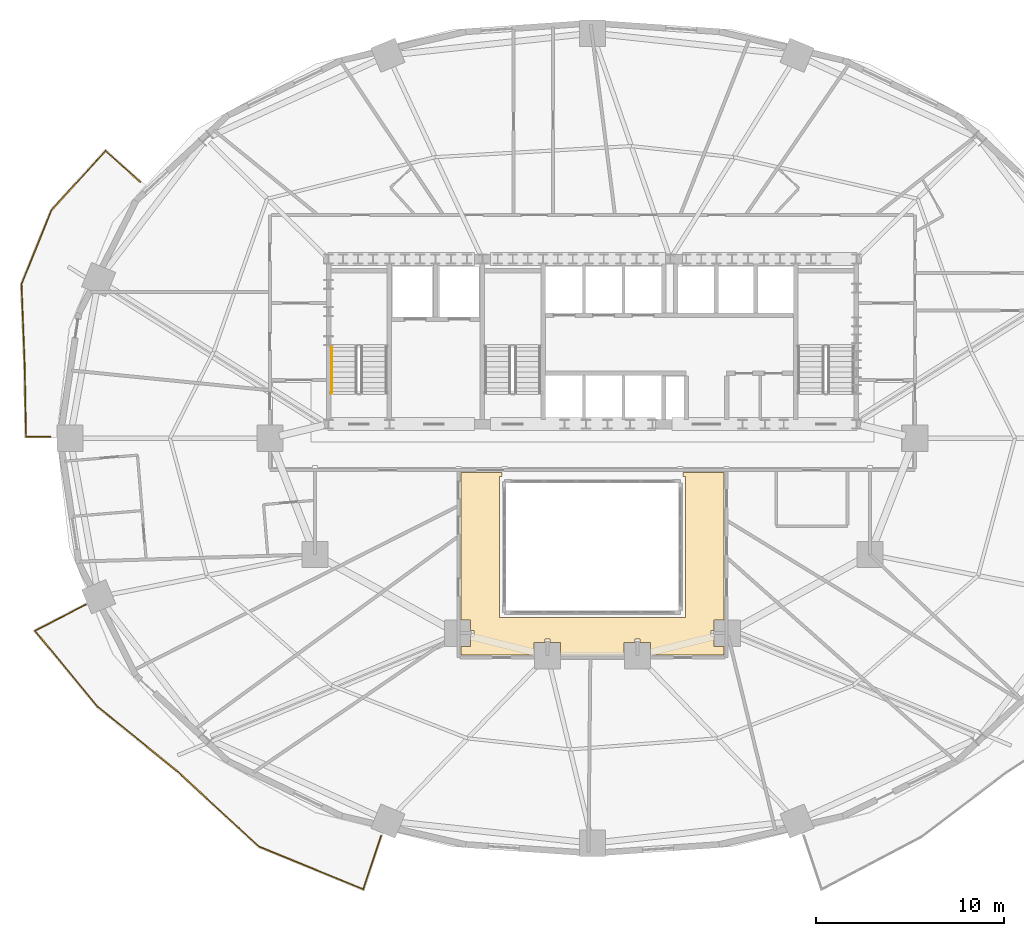
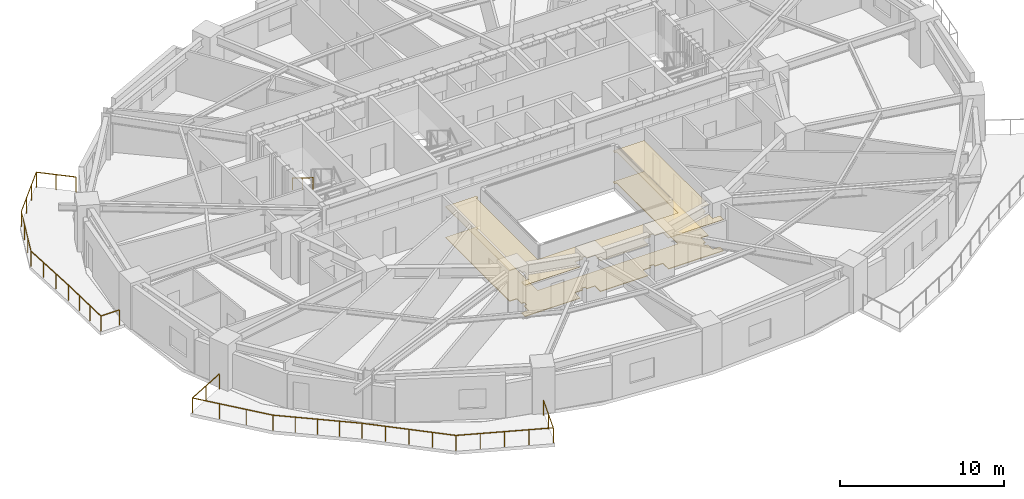
# One storey, part 13 of 15: 3 railings, 2 coverings.
"""IFC4 building model written with IfcOpenShell, lengths in metres."""

from ifc_helpers import new_model, si_unit, direction, frame, origin, origin_2d, place, context, subcontext, project, spatial, polyline, rectangle, outline, extrude, material, layer, layer_set, type_object, element, save


model = new_model("IFC4")

# Units and contexts
model_context = context("Model", 3, precision=1e-05, world=origin(), true_north=direction((0.0, 1.0)))
body_context = subcontext(model_context, "Body", "Model", "MODEL_VIEW")
ifc_project = project(units=[si_unit("LENGTHUNIT", "METRE"), si_unit("AREAUNIT", "SQUARE_METRE"), si_unit("VOLUMEUNIT", "CUBIC_METRE"), si_unit("PLANEANGLEUNIT", "RADIAN"), si_unit("MASSUNIT", "GRAM", prefix="KILO")], contexts=[model_context])

# Site, building, storey
site_placement = place(None, origin())
site = spatial("IfcSite", under=ifc_project, at=site_placement, CompositionType="ELEMENT")
building_placement = place(site_placement, origin())
building = spatial("IfcBuilding", under=site, at=building_placement, Name="Haldorwick Loom Tower", CompositionType="ELEMENT")
storey_placement = place(building_placement, frame((0.0, 0.0, 92.14990234375)))
storey = spatial("IfcBuildingStorey", under=building, at=storey_placement, Name="L24", CompositionType="ELEMENT", Elevation=92.14990234375)

# Coverings
ifc_material_1 = material(Name="Mineral Fibre Acoustic Ceiling Tile")
ifc_layer_1 = layer(ifc_material_1, 0.054931640625, Name="Mineral Fibre Acoustic Ceiling Tile")
ifc_layer_set_1 = layer_set([ifc_layer_1], Name="Mineral Fibre Acoustic Ceiling Tile")
covering_type_1 = type_object("IfcCoveringType", Name="ARC-COV-CEIL2", PredefinedType="CEILING", material=ifc_layer_set_1)
covering_1_placement = place(storey_placement, frame((0.0, 0.0, 2.302001953125)))
element("IfcCovering", 1, at=covering_1_placement, inside=storey, type_object=covering_type_1, Name="L24 Acoustic Suspended Ceiling 1", PredefinedType="CEILING", context=body_context, shape_type="SweptSolid", body=[
    extrude(outline(polyline([(40.820068359375, 24.159912109375), (40.820068359375, 23.949951171875), (40.949951171875, 23.949951171875), (40.949951171875, 16.449951171875), (31.050048828125, 16.449951171875), (31.050048828125, 23.949951171875), (31.179931640625, 23.949951171875), (31.179931640625, 24.159912109375), (28.989990234375, 24.159912109375), (28.989990234375, 16.30810546875), (29.508056640625, 16.30810546875), (29.508056640625, 15.739990234375), (29.669921875, 15.739990234375), (29.672119140625, 15.739990234375), (29.673828125, 15.739501953125), (29.67578125, 15.739013671875), (29.677734375, 15.738525390625), (29.679443359375, 15.737548828125), (29.68115234375, 15.736572265625), (29.6826171875, 15.735595703125), (29.68408203125, 15.734130859375), (29.685546875, 15.732666015625), (29.6865234375, 15.731201171875), (29.6875, 15.7294921875), (29.6884765625, 15.727783203125), (29.689208984375, 15.725830078125), (29.689697265625, 15.723876953125), (29.68994140625, 15.721923828125), (29.68994140625, 15.719970703125), (29.68994140625, 15.47998046875), (29.68994140625, 15.47802734375), (29.689697265625, 15.47607421875), (29.689208984375, 15.47412109375), (29.6884765625, 15.472412109375), (29.6875, 15.470703125), (29.6865234375, 15.468994140625), (29.685546875, 15.46728515625), (29.68408203125, 15.4658203125), (29.6826171875, 15.464599609375), (29.68115234375, 15.46337890625), (29.679443359375, 15.46240234375), (29.677734375, 15.46142578125), (29.67578125, 15.4609375), (29.673828125, 15.46044921875), (29.672119140625, 15.460205078125), (29.669921875, 15.4599609375), (29.508056640625, 15.4599609375), (29.508056640625, 14.89208984375), (28.989990234375, 14.89208984375), (28.989990234375, 14.43994140625), (32.89208984375, 14.43994140625), (32.89208984375, 15.10791015625), (33.4599609375, 15.10791015625), (33.4599609375, 15.27001953125), (33.460205078125, 15.27197265625), (33.46044921875, 15.27392578125), (33.4609375, 15.27587890625), (33.46142578125, 15.277587890625), (33.46240234375, 15.279296875), (33.46337890625, 15.281005859375), (33.464599609375, 15.28271484375), (33.4658203125, 15.2841796875), (33.46728515625, 15.285400390625), (33.468994140625, 15.28662109375), (33.470703125, 15.28759765625), (33.472412109375, 15.28857421875), (33.47412109375, 15.2890625), (33.47607421875, 15.28955078125), (33.47802734375, 15.289794921875), (33.47998046875, 15.2900390625), (33.719970703125, 15.2900390625), (33.721923828125, 15.289794921875), (33.723876953125, 15.28955078125), (33.725830078125, 15.2890625), (33.727783203125, 15.28857421875), (33.7294921875, 15.28759765625), (33.731201171875, 15.28662109375), (33.732666015625, 15.285400390625), (33.734130859375, 15.2841796875), (33.735595703125, 15.28271484375), (33.736572265625, 15.281005859375), (33.737548828125, 15.279296875), (33.738525390625, 15.277587890625), (33.739013671875, 15.27587890625), (33.739501953125, 15.27392578125), (33.739990234375, 15.27197265625), (33.739990234375, 15.27001953125), (33.739990234375, 15.10791015625), (34.30810546875, 15.10791015625), (34.30810546875, 14.43994140625), (37.69189453125, 14.43994140625), (37.69189453125, 15.10791015625), (38.260009765625, 15.10791015625), (38.260009765625, 15.27001953125), (38.260009765625, 15.27197265625), (38.260498046875, 15.27392578125), (38.260986328125, 15.27587890625), (38.261474609375, 15.277587890625), (38.262451171875, 15.279296875), (38.263427734375, 15.281005859375), (38.264404296875, 15.28271484375), (38.265869140625, 15.2841796875), (38.267333984375, 15.285400390625), (38.268798828125, 15.28662109375), (38.2705078125, 15.28759765625), (38.272216796875, 15.28857421875), (38.274169921875, 15.2890625), (38.276123046875, 15.28955078125), (38.278076171875, 15.289794921875), (38.280029296875, 15.2900390625), (38.52001953125, 15.2900390625), (38.52197265625, 15.289794921875), (38.52392578125, 15.28955078125), (38.52587890625, 15.2890625), (38.527587890625, 15.28857421875), (38.529296875, 15.28759765625), (38.531005859375, 15.28662109375), (38.53271484375, 15.285400390625), (38.5341796875, 15.2841796875), (38.535400390625, 15.28271484375), (38.53662109375, 15.281005859375), (38.53759765625, 15.279296875), (38.53857421875, 15.277587890625), (38.5390625, 15.27587890625), (38.53955078125, 15.27392578125), (38.539794921875, 15.27197265625), (38.5400390625, 15.27001953125), (38.5400390625, 15.10791015625), (39.10791015625, 15.10791015625), (39.10791015625, 14.43994140625), (43.010009765625, 14.43994140625), (43.010009765625, 14.89208984375), (42.491943359375, 14.89208984375), (42.491943359375, 15.4599609375), (42.330078125, 15.4599609375), (42.327880859375, 15.460205078125), (42.326171875, 15.46044921875), (42.32421875, 15.4609375), (42.322265625, 15.46142578125), (42.320556640625, 15.46240234375), (42.31884765625, 15.46337890625), (42.3173828125, 15.464599609375), (42.31591796875, 15.4658203125), (42.314453125, 15.46728515625), (42.3134765625, 15.468994140625), (42.3125, 15.470703125), (42.3115234375, 15.472412109375), (42.310791015625, 15.47412109375), (42.310302734375, 15.47607421875), (42.31005859375, 15.47802734375), (42.31005859375, 15.47998046875), (42.31005859375, 15.719970703125), (42.31005859375, 15.721923828125), (42.310302734375, 15.723876953125), (42.310791015625, 15.725830078125), (42.3115234375, 15.727783203125), (42.3125, 15.7294921875), (42.3134765625, 15.731201171875), (42.314453125, 15.732666015625), (42.31591796875, 15.734130859375), (42.3173828125, 15.735595703125), (42.31884765625, 15.736572265625), (42.320556640625, 15.737548828125), (42.322265625, 15.738525390625), (42.32421875, 15.739013671875), (42.326171875, 15.739501953125), (42.327880859375, 15.739990234375), (42.330078125, 15.739990234375), (42.491943359375, 15.739990234375), (42.491943359375, 16.30810546875), (43.010009765625, 16.30810546875), (43.010009765625, 24.159912109375), (40.820068359375, 24.159912109375)])), origin(), (0.0, 0.0, 1.0), 0.05517578125),
])
ifc_material_2 = material(Name="Polished Aggregate Terrazzo Finish")
ifc_layer_2 = layer(ifc_material_2, 0.044921875, Name="Polished Aggregate Terrazzo Finish")
ifc_layer_set_2 = layer_set([ifc_layer_2], Name="Polished Aggregate Terrazzo Finish")
covering_type_2 = type_object("IfcCoveringType", Name="ARC-COV-FLOOR2", PredefinedType="FLOORING", material=ifc_layer_set_2)
covering_2_placement = place(storey_placement, origin())
element("IfcCovering", 2, at=covering_2_placement, inside=storey, type_object=covering_type_2, Name="L24 Floor Finish 1", PredefinedType="FLOORING", context=body_context, shape_type="SweptSolid", body=[
    extrude(outline(polyline([(40.820068359375, 24.159912109375), (40.820068359375, 23.949951171875), (40.949951171875, 23.949951171875), (40.949951171875, 16.449951171875), (31.050048828125, 16.449951171875), (31.050048828125, 23.949951171875), (31.179931640625, 23.949951171875), (31.179931640625, 24.159912109375), (28.989990234375, 24.159912109375), (28.989990234375, 16.30810546875), (29.508056640625, 16.30810546875), (29.508056640625, 15.739990234375), (29.669921875, 15.739990234375), (29.672119140625, 15.739990234375), (29.673828125, 15.739501953125), (29.67578125, 15.739013671875), (29.677734375, 15.738525390625), (29.679443359375, 15.737548828125), (29.68115234375, 15.736572265625), (29.6826171875, 15.735595703125), (29.68408203125, 15.734130859375), (29.685546875, 15.732666015625), (29.6865234375, 15.731201171875), (29.6875, 15.7294921875), (29.6884765625, 15.727783203125), (29.689208984375, 15.725830078125), (29.689697265625, 15.723876953125), (29.68994140625, 15.721923828125), (29.68994140625, 15.719970703125), (29.68994140625, 15.47998046875), (29.68994140625, 15.47802734375), (29.689697265625, 15.47607421875), (29.689208984375, 15.47412109375), (29.6884765625, 15.472412109375), (29.6875, 15.470703125), (29.6865234375, 15.468994140625), (29.685546875, 15.46728515625), (29.68408203125, 15.4658203125), (29.6826171875, 15.464599609375), (29.68115234375, 15.46337890625), (29.679443359375, 15.46240234375), (29.677734375, 15.46142578125), (29.67578125, 15.4609375), (29.673828125, 15.46044921875), (29.672119140625, 15.460205078125), (29.669921875, 15.4599609375), (29.508056640625, 15.4599609375), (29.508056640625, 14.89208984375), (28.989990234375, 14.89208984375), (28.989990234375, 14.43994140625), (32.89208984375, 14.43994140625), (32.89208984375, 15.10791015625), (33.4599609375, 15.10791015625), (33.4599609375, 15.27001953125), (33.460205078125, 15.27197265625), (33.46044921875, 15.27392578125), (33.4609375, 15.27587890625), (33.46142578125, 15.277587890625), (33.46240234375, 15.279296875), (33.46337890625, 15.281005859375), (33.464599609375, 15.28271484375), (33.4658203125, 15.2841796875), (33.46728515625, 15.285400390625), (33.468994140625, 15.28662109375), (33.470703125, 15.28759765625), (33.472412109375, 15.28857421875), (33.47412109375, 15.2890625), (33.47607421875, 15.28955078125), (33.47802734375, 15.289794921875), (33.47998046875, 15.2900390625), (33.719970703125, 15.2900390625), (33.721923828125, 15.289794921875), (33.723876953125, 15.28955078125), (33.725830078125, 15.2890625), (33.727783203125, 15.28857421875), (33.7294921875, 15.28759765625), (33.731201171875, 15.28662109375), (33.732666015625, 15.285400390625), (33.734130859375, 15.2841796875), (33.735595703125, 15.28271484375), (33.736572265625, 15.281005859375), (33.737548828125, 15.279296875), (33.738525390625, 15.277587890625), (33.739013671875, 15.27587890625), (33.739501953125, 15.27392578125), (33.739990234375, 15.27197265625), (33.739990234375, 15.27001953125), (33.739990234375, 15.10791015625), (34.30810546875, 15.10791015625), (34.30810546875, 14.43994140625), (37.69189453125, 14.43994140625), (37.69189453125, 15.10791015625), (38.260009765625, 15.10791015625), (38.260009765625, 15.27001953125), (38.260009765625, 15.27197265625), (38.260498046875, 15.27392578125), (38.260986328125, 15.27587890625), (38.261474609375, 15.277587890625), (38.262451171875, 15.279296875), (38.263427734375, 15.281005859375), (38.264404296875, 15.28271484375), (38.265869140625, 15.2841796875), (38.267333984375, 15.285400390625), (38.268798828125, 15.28662109375), (38.2705078125, 15.28759765625), (38.272216796875, 15.28857421875), (38.274169921875, 15.2890625), (38.276123046875, 15.28955078125), (38.278076171875, 15.289794921875), (38.280029296875, 15.2900390625), (38.52001953125, 15.2900390625), (38.52197265625, 15.289794921875), (38.52392578125, 15.28955078125), (38.52587890625, 15.2890625), (38.527587890625, 15.28857421875), (38.529296875, 15.28759765625), (38.531005859375, 15.28662109375), (38.53271484375, 15.285400390625), (38.5341796875, 15.2841796875), (38.535400390625, 15.28271484375), (38.53662109375, 15.281005859375), (38.53759765625, 15.279296875), (38.53857421875, 15.277587890625), (38.5390625, 15.27587890625), (38.53955078125, 15.27392578125), (38.539794921875, 15.27197265625), (38.5400390625, 15.27001953125), (38.5400390625, 15.10791015625), (39.10791015625, 15.10791015625), (39.10791015625, 14.43994140625), (43.010009765625, 14.43994140625), (43.010009765625, 14.89208984375), (42.491943359375, 14.89208984375), (42.491943359375, 15.4599609375), (42.330078125, 15.4599609375), (42.327880859375, 15.460205078125), (42.326171875, 15.46044921875), (42.32421875, 15.4609375), (42.322265625, 15.46142578125), (42.320556640625, 15.46240234375), (42.31884765625, 15.46337890625), (42.3173828125, 15.464599609375), (42.31591796875, 15.4658203125), (42.314453125, 15.46728515625), (42.3134765625, 15.468994140625), (42.3125, 15.470703125), (42.3115234375, 15.472412109375), (42.310791015625, 15.47412109375), (42.310302734375, 15.47607421875), (42.31005859375, 15.47802734375), (42.31005859375, 15.47998046875), (42.31005859375, 15.719970703125), (42.31005859375, 15.721923828125), (42.310302734375, 15.723876953125), (42.310791015625, 15.725830078125), (42.3115234375, 15.727783203125), (42.3125, 15.7294921875), (42.3134765625, 15.731201171875), (42.314453125, 15.732666015625), (42.31591796875, 15.734130859375), (42.3173828125, 15.735595703125), (42.31884765625, 15.736572265625), (42.320556640625, 15.737548828125), (42.322265625, 15.738525390625), (42.32421875, 15.739013671875), (42.326171875, 15.739501953125), (42.327880859375, 15.739990234375), (42.330078125, 15.739990234375), (42.491943359375, 15.739990234375), (42.491943359375, 16.30810546875), (43.010009765625, 16.30810546875), (43.010009765625, 24.159912109375), (40.820068359375, 24.159912109375)])), origin(), (0.0, 0.0, 1.0), 0.045166015625),
])

# Railings
ifc_material_3 = material(Name="Galvanized Steel CSA G40.21 350W", Category="steel")
railing_type_1 = type_object("IfcRailingType", Name="ARC-RLG-BAL115", PredefinedType="BALUSTRADE", material=ifc_material_3)
railing_1_placement = place(storey_placement, frame((24.729248046875, 4.8056640625, 0.0)))
element("IfcRailing", 3, at=railing_1_placement, inside=storey, type_object=railing_type_1, Name="L24 Outdoor Terrace Guardrail SLB-L24-BAL_SW-1", PredefinedType="BALUSTRADE", context=body_context, shape_type="SweptSolid", body=[
    extrude(rectangle(XDim=0.048095703125, YDim=0.048095703125, at=origin_2d()), frame((0.0, 0.0, 1.1259765625), z_axis=(-0.316422381022, -0.948618404201, 0.0), x_axis=(0.948618404201, -0.316422381022, 0.0)), (0.0, 0.0, 1.0), 3.0107421875),
    extrude(rectangle(XDim=0.048095703125, YDim=0.048095703125, at=origin_2d()), frame((-0.95263671875, -2.85595703125, 1.1259765625), z_axis=(-0.925561844607, 0.378596449807, 0.0), x_axis=(-0.378596449807, -0.925561844607, 0.0)), (0.0, 0.0, 1.0), 6.007568359375),
    extrude(rectangle(XDim=0.048095703125, YDim=0.048095703125, at=origin_2d()), frame((-6.512939453125, -0.58154296875, 1.1259765625), z_axis=(-0.734510984815, 0.678596797212, 0.0), x_axis=(-0.678596797212, -0.734510984815, 0.0)), (0.0, 0.0, 1.0), 5.89013671875),
    extrude(rectangle(XDim=0.048095703125, YDim=0.048095703125, at=origin_2d()), frame((-10.83935546875, 3.41552734375, 1.1259765625), z_axis=(-0.752576694707, 0.658504607869, 0.0), x_axis=(-0.658504607869, -0.752576694707, 0.0)), (0.0, 0.0, 1.0), 0.005126953125),
    extrude(rectangle(XDim=0.048095703125, YDim=0.048095703125, at=origin_2d()), frame((-10.84326171875, 3.4189453125, 1.1259765625), z_axis=(-0.777254203953, 0.62918669919, 0.0), x_axis=(-0.62918669919, -0.777254203953, 0.0)), (0.0, 0.0, 1.0), 5.482421875),
    extrude(rectangle(XDim=0.048095703125, YDim=0.048095703125, at=origin_2d()), frame((-15.1044921875, 6.868408203125, 1.1259765625), z_axis=(-0.636953460821, 0.770902256287, 0.0), x_axis=(-0.770902256287, -0.636953460821, 0.0)), (0.0, 0.0, 1.0), 5.256591796875),
    extrude(rectangle(XDim=0.048095703125, YDim=0.048095703125, at=origin_2d()), frame((-18.45263671875, 10.920654296875, 1.1259765625), z_axis=(0.888445041352, 0.458983015478, 0.0), x_axis=(-0.458983015478, 0.888445041352, 0.0)), (0.0, 0.0, 1.0), 3.03515625),
    extrude(rectangle(XDim=0.0419921875, YDim=0.0419921875, at=origin_2d()), origin(), (0.0, 0.0, 1.0), 1.101806640625),
    extrude(rectangle(XDim=0.0419921875, YDim=0.0419921875, at=origin_2d()), frame((-0.476318359375, -1.427978515625, 0.0)), (0.0, 0.0, 1.0), 1.101806640625),
    extrude(rectangle(XDim=0.0419921875, YDim=0.0419921875, at=origin_2d()), frame((-0.95263671875, -2.85595703125, 0.0)), (0.0, 0.0, 1.0), 1.101806640625),
    extrude(rectangle(XDim=0.0419921875, YDim=0.0419921875, at=origin_2d()), frame((-2.3427734375, -2.287353515625, 0.0)), (0.0, 0.0, 1.0), 1.101806640625),
    extrude(rectangle(XDim=0.0419921875, YDim=0.0419921875, at=origin_2d()), frame((-3.73291015625, -1.71875, 0.0)), (0.0, 0.0, 1.0), 1.101806640625),
    extrude(rectangle(XDim=0.0419921875, YDim=0.0419921875, at=origin_2d()), frame((-5.122802734375, -1.150146484375, 0.0)), (0.0, 0.0, 1.0), 1.101806640625),
    extrude(rectangle(XDim=0.0419921875, YDim=0.0419921875, at=origin_2d()), frame((-6.512939453125, -0.58154296875, 0.0)), (0.0, 0.0, 1.0), 1.101806640625),
    extrude(rectangle(XDim=0.0419921875, YDim=0.0419921875, at=origin_2d()), frame((-7.594482421875, 0.417724609375, 0.0)), (0.0, 0.0, 1.0), 1.101806640625),
    extrude(rectangle(XDim=0.0419921875, YDim=0.0419921875, at=origin_2d()), frame((-8.67626953125, 1.4169921875, 0.0)), (0.0, 0.0, 1.0), 1.101806640625),
    extrude(rectangle(XDim=0.0419921875, YDim=0.0419921875, at=origin_2d()), frame((-9.7578125, 2.416259765625, 0.0)), (0.0, 0.0, 1.0), 1.101806640625),
    extrude(rectangle(XDim=0.0419921875, YDim=0.0419921875, at=origin_2d()), frame((-10.83935546875, 3.41552734375, 0.0)), (0.0, 0.0, 1.0), 1.101806640625),
    extrude(rectangle(XDim=0.0419921875, YDim=0.0419921875, at=origin_2d()), frame((-11.90869140625, 4.28125, 0.0)), (0.0, 0.0, 1.0), 1.101806640625),
    extrude(rectangle(XDim=0.0419921875, YDim=0.0419921875, at=origin_2d()), frame((-12.973876953125, 5.1435546875, 0.0)), (0.0, 0.0, 1.0), 1.101806640625),
    extrude(rectangle(XDim=0.0419921875, YDim=0.0419921875, at=origin_2d()), frame((-14.0390625, 6.006103515625, 0.0)), (0.0, 0.0, 1.0), 1.101806640625),
    extrude(rectangle(XDim=0.0419921875, YDim=0.0419921875, at=origin_2d()), frame((-15.1044921875, 6.868408203125, 0.0)), (0.0, 0.0, 1.0), 1.101806640625),
    extrude(rectangle(XDim=0.0419921875, YDim=0.0419921875, at=origin_2d()), frame((-16.220458984375, 8.21923828125, 0.0)), (0.0, 0.0, 1.0), 1.101806640625),
    extrude(rectangle(XDim=0.0419921875, YDim=0.0419921875, at=origin_2d()), frame((-17.336669921875, 9.56982421875, 0.0)), (0.0, 0.0, 1.0), 1.101806640625),
    extrude(rectangle(XDim=0.0419921875, YDim=0.0419921875, at=origin_2d()), frame((-18.45263671875, 10.920654296875, 0.0)), (0.0, 0.0, 1.0), 1.101806640625),
    extrude(rectangle(XDim=0.0419921875, YDim=0.0419921875, at=origin_2d()), frame((-17.1044921875, 11.6171875, 0.0)), (0.0, 0.0, 1.0), 1.101806640625),
    extrude(rectangle(XDim=0.0419921875, YDim=0.0419921875, at=origin_2d()), frame((-15.756103515625, 12.313720703125, 0.0)), (0.0, 0.0, 1.0), 1.101806640625),
])
railing_2_placement = place(storey_placement, frame((7.09912109375, 26.080078125, 0.0)))
element("IfcRailing", 4, at=railing_2_placement, inside=storey, type_object=railing_type_1, Name="L24 Outdoor Terrace Guardrail SLB-L24-BAL_WNW-1", PredefinedType="BALUSTRADE", context=body_context, shape_type="SweptSolid", body=[
    extrude(rectangle(XDim=0.048095703125, YDim=0.048095703125, at=origin_2d()), frame((0.0, 0.0, 1.1259765625), z_axis=(-1.0, 0.0, 0.0), x_axis=(0.0, -1.0, 0.0)), (0.0, 0.0, 1.0), 1.3046875),
    extrude(rectangle(XDim=0.048095703125, YDim=0.048095703125, at=origin_2d()), frame((-1.3046875, 0.0, 1.1259765625), z_axis=(-0.018706157389, 0.99982502453, 0.0), x_axis=(-0.99982502453, -0.018706157389, 0.0)), (0.0, 0.0, 1.0), 3.837158203125),
    extrude(rectangle(XDim=0.048095703125, YDim=0.048095703125, at=origin_2d()), frame((-1.37646484375, 3.83642578125, 1.1259765625), z_axis=(-0.141421356237, 0.989949493661, 0.0), x_axis=(-0.989949493661, -0.141421356237, 0.0)), (0.0, 0.0, 1.0), 0.001708984375),
    extrude(rectangle(XDim=0.048095703125, YDim=0.048095703125, at=origin_2d()), frame((-1.376708984375, 3.838134765625, 1.1259765625), z_axis=(-0.039064224332, 0.999236701877, 0.0), x_axis=(-0.999236701877, -0.039064224332, 0.0)), (0.0, 0.0, 1.0), 4.29345703125),
    extrude(rectangle(XDim=0.048095703125, YDim=0.048095703125, at=origin_2d()), frame((-1.54443359375, 8.12841796875, 1.1259765625), z_axis=(0.375421536882, 0.926854179278, 0.0), x_axis=(-0.926854179278, 0.375421536882, 0.0)), (0.0, 0.0, 1.0), 4.2568359375),
    extrude(rectangle(XDim=0.048095703125, YDim=0.048095703125, at=origin_2d()), frame((0.0537109375, 12.073974609375, 1.1259765625), z_axis=(0.673469917187, 0.739214630972, 0.0), x_axis=(-0.739214630972, 0.673469917187, 0.0)), (0.0, 0.0, 1.0), 4.28173828125),
    extrude(rectangle(XDim=0.048095703125, YDim=0.048095703125, at=origin_2d()), frame((2.937255859375, 15.239013671875, 1.1259765625), z_axis=(0.743352751679, -0.668899608739, 0.0), x_axis=(0.668899608739, 0.743352751679, 0.0)), (0.0, 0.0, 1.0), 2.485595703125),
    extrude(rectangle(XDim=0.0419921875, YDim=0.0419921875, at=origin_2d()), origin(), (0.0, 0.0, 1.0), 1.101806640625),
    extrude(rectangle(XDim=0.0419921875, YDim=0.0419921875, at=origin_2d()), frame((-1.3046875, 0.0, 0.0)), (0.0, 0.0, 1.0), 1.101806640625),
    extrude(rectangle(XDim=0.0419921875, YDim=0.0419921875, at=origin_2d()), frame((-1.32861328125, 1.27880859375, 0.0)), (0.0, 0.0, 1.0), 1.101806640625),
    extrude(rectangle(XDim=0.0419921875, YDim=0.0419921875, at=origin_2d()), frame((-1.3525390625, 2.5576171875, 0.0)), (0.0, 0.0, 1.0), 1.101806640625),
    extrude(rectangle(XDim=0.0419921875, YDim=0.0419921875, at=origin_2d()), frame((-1.37646484375, 3.83642578125, 0.0)), (0.0, 0.0, 1.0), 1.101806640625),
    extrude(rectangle(XDim=0.0419921875, YDim=0.0419921875, at=origin_2d()), frame((-1.4326171875, 5.268310546875, 0.0)), (0.0, 0.0, 1.0), 1.101806640625),
    extrude(rectangle(XDim=0.0419921875, YDim=0.0419921875, at=origin_2d()), frame((-1.488525390625, 6.6982421875, 0.0)), (0.0, 0.0, 1.0), 1.101806640625),
    extrude(rectangle(XDim=0.0419921875, YDim=0.0419921875, at=origin_2d()), frame((-1.54443359375, 8.12841796875, 0.0)), (0.0, 0.0, 1.0), 1.101806640625),
    extrude(rectangle(XDim=0.0419921875, YDim=0.0419921875, at=origin_2d()), frame((-1.01171875, 9.443603515625, 0.0)), (0.0, 0.0, 1.0), 1.101806640625),
    extrude(rectangle(XDim=0.0419921875, YDim=0.0419921875, at=origin_2d()), frame((-0.47900390625, 10.7587890625, 0.0)), (0.0, 0.0, 1.0), 1.101806640625),
    extrude(rectangle(XDim=0.0419921875, YDim=0.0419921875, at=origin_2d()), frame((0.0537109375, 12.073974609375, 0.0)), (0.0, 0.0, 1.0), 1.101806640625),
    extrude(rectangle(XDim=0.0419921875, YDim=0.0419921875, at=origin_2d()), frame((1.014892578125, 13.12890625, 0.0)), (0.0, 0.0, 1.0), 1.101806640625),
    extrude(rectangle(XDim=0.0419921875, YDim=0.0419921875, at=origin_2d()), frame((1.97607421875, 14.18408203125, 0.0)), (0.0, 0.0, 1.0), 1.101806640625),
    extrude(rectangle(XDim=0.0419921875, YDim=0.0419921875, at=origin_2d()), frame((2.937255859375, 15.239013671875, 0.0)), (0.0, 0.0, 1.0), 1.101806640625),
    extrude(rectangle(XDim=0.0419921875, YDim=0.0419921875, at=origin_2d()), frame((3.861083984375, 14.40771484375, 0.0)), (0.0, 0.0, 1.0), 1.101806640625),
    extrude(rectangle(XDim=0.0419921875, YDim=0.0419921875, at=origin_2d()), frame((4.784912109375, 13.576416015625, 0.0)), (0.0, 0.0, 1.0), 1.101806640625),
])
ifc_material_4 = material(Name="Steel CSA G40.21 350W", Category="steel")
railing_type_2 = type_object("IfcRailingType", Name="ARC-RLG-HAND092", PredefinedType="HANDRAIL", material=ifc_material_4)
railing_3_placement = place(storey_placement, frame((22.10009765625, 30.919921875, 1.897705078125)))
element("IfcRailing", 5, at=railing_3_placement, inside=storey, type_object=railing_type_2, Name="L24 ST-01 stair handrail 2", PredefinedType="HANDRAIL", context=body_context, shape_type="SweptSolid", body=[
    extrude(rectangle(XDim=0.048095703125, YDim=0.048095703125, at=origin_2d()), frame((0.0, 0.0, 0.8759765625), z_axis=(0.0, -0.851400495292, 0.524516154772), x_axis=(1.0, 0.0, 0.0)), (0.0, 0.0, 1.0), 2.9599609375),
    extrude(rectangle(XDim=0.0419921875, YDim=0.0419921875, at=origin_2d()), origin(), (0.0, 0.0, 1.0), 0.851806640625),
    extrude(rectangle(XDim=0.0419921875, YDim=0.0419921875, at=origin_2d()), frame((0.0, -1.260009765625, 0.7763671875)), (0.0, 0.0, 1.0), 0.851806640625),
    extrude(rectangle(XDim=0.0419921875, YDim=0.0419921875, at=origin_2d()), frame((0.0, -2.52001953125, 1.552490234375)), (0.0, 0.0, 1.0), 0.851806640625),
])

save(model, "model.ifc")
